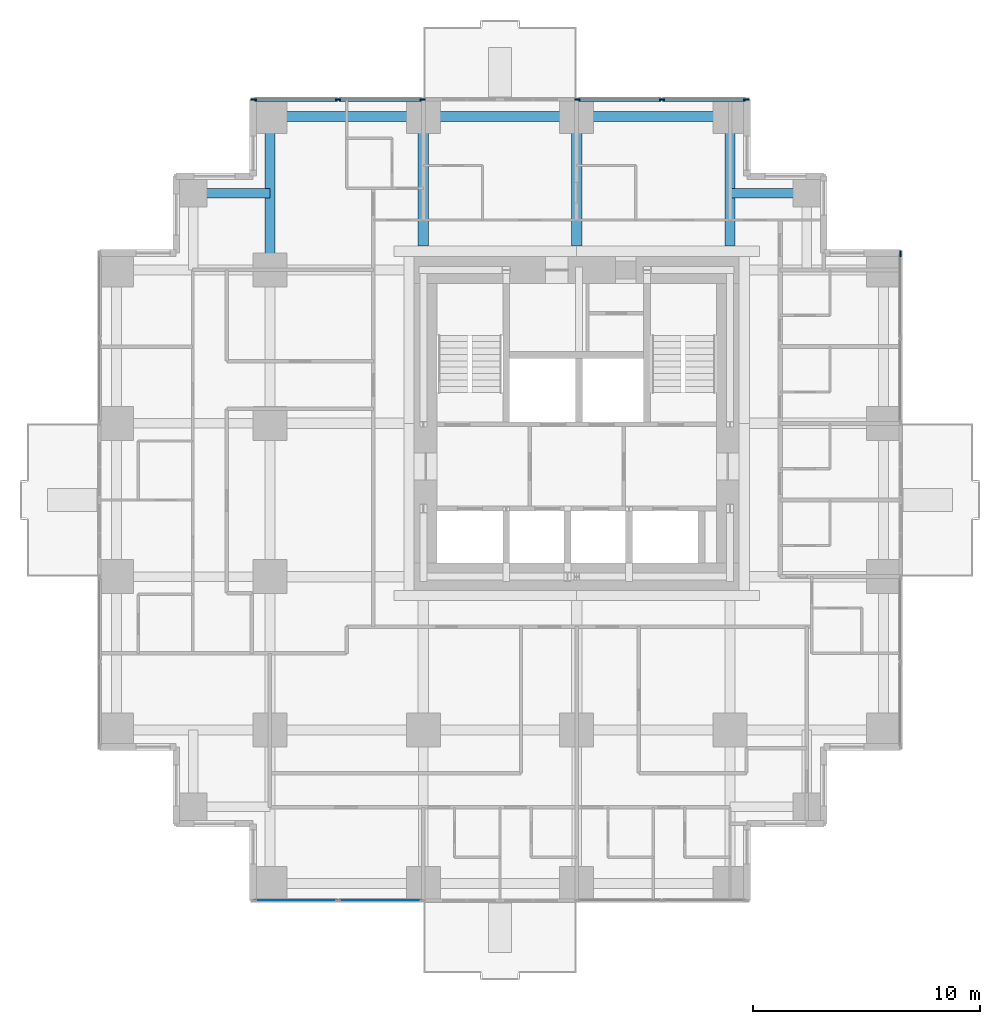
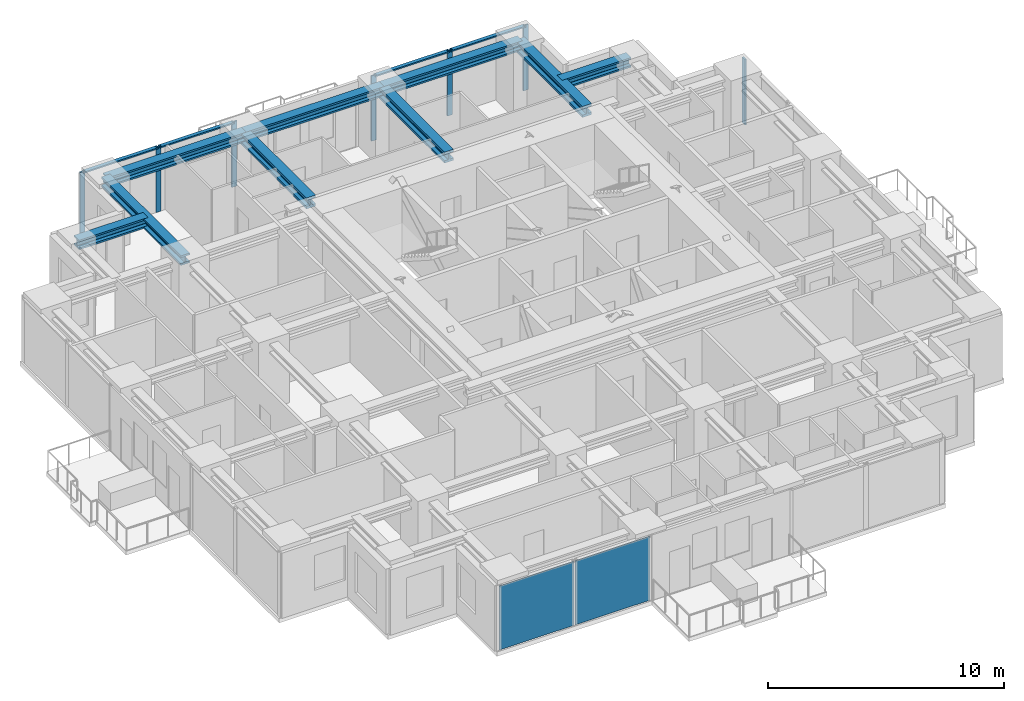
# One storey, part 3 of 10: 11 members, 9 beams, 2 plates, 4 elements without a shape of their own.
"""IFC4 building model written with IfcOpenShell, lengths in metres."""

from ifc_helpers import new_model, si_unit, direction, frame, origin, origin_2d, place, context, subcontext, project, spatial, rectangle, i_section, extrude, material, layer, layer_set, material_profile, profile_set, type_object, element, aggregate, save


model = new_model("IFC4")

# Units and contexts
model_context = context("Model", 3, precision=1e-05, world=origin(), true_north=direction((0.0, 1.0)))
body_context = subcontext(model_context, "Body", "Model", "MODEL_VIEW")
ifc_project = project(units=[si_unit("LENGTHUNIT", "METRE"), si_unit("AREAUNIT", "SQUARE_METRE"), si_unit("VOLUMEUNIT", "CUBIC_METRE"), si_unit("PLANEANGLEUNIT", "RADIAN"), si_unit("MASSUNIT", "GRAM", prefix="KILO")], contexts=[model_context])

# Site, building, storey
site_placement = place(None, origin())
site = spatial("IfcSite", under=ifc_project, at=site_placement, CompositionType="ELEMENT")
building_placement = place(site_placement, origin())
building = spatial("IfcBuilding", under=site, at=building_placement, Name="Nyansa Garden Tower", CompositionType="ELEMENT")
storey_placement = place(building_placement, frame((0.0, 0.0, 163.800048828125)))
storey = spatial("IfcBuildingStorey", under=building, at=storey_placement, Name="L44", CompositionType="ELEMENT", Elevation=163.800048828125)

# Curtain wall, member
ifc_material_1 = material(Name="Black anodised aluminium, dark tinted double glazing", Category="aluminium")
curtain_wall_type = type_object("IfcCurtainWallType", Name="Inner skin curtain wall ISW-C", PredefinedType="USERDEFINED", material=ifc_material_1)
curtain_wall_1_placement = place(storey_placement, origin())
curtain_wall_1 = element("IfcCurtainWall", 1, at=curtain_wall_1_placement, inside=storey, type_object=curtain_wall_type, Name="Inner skin curtain wall L44 E", ObjectType="UNITISED CURTAIN WALL", PredefinedType="USERDEFINED")
ifc_material_2 = material(Name="Black anodised aluminium", Category="aluminium")
ifc_material_profile_1 = material_profile(ifc_material_2, rectangle(XDim=0.070068359375, YDim=0.25, at=origin_2d()), Name="Mullion 250x70")
ifc_profile_set_1 = profile_set([ifc_material_profile_1], Name="Black anodised aluminium")
member_type_1 = type_object("IfcMemberType", Name="Mullion ISW-C 250x70", PredefinedType="MULLION", material=ifc_profile_set_1)
member_1_placement = place(storey_placement, frame((34.5, 27.715087890625, 0.0), z_axis=(0.0, 0.0, 1.0), x_axis=(-1.0, 0.0, 0.0)))
member_1 = element("IfcMember", 2, at=member_1_placement, type_object=member_type_1, Name="ISW-C mullion 3", PredefinedType="MULLION", context=body_context, shape_type="SweptSolid", body=[
    extrude(rectangle(XDim=0.070068359375, YDim=0.25, at=origin_2d()), origin(), (0.0, 0.0, 1.0), 3.375),
])
aggregate(curtain_wall_1, [member_1])

# Curtain wall, members
curtain_wall_2_placement = place(storey_placement, origin())
curtain_wall_2 = element("IfcCurtainWall", 3, at=curtain_wall_2_placement, inside=storey, type_object=curtain_wall_type, Name="Inner skin curtain wall L44 N", ObjectType="UNITISED CURTAIN WALL", PredefinedType="USERDEFINED")
member_2_placement = place(storey_placement, frame((13.465087890625, 34.5, 0.0), z_axis=(0.0, 0.0, 1.0), x_axis=(0.0, -1.0, 0.0)))
member_2 = element("IfcMember", 4, at=member_2_placement, type_object=member_type_1, Name="ISW-C mullion 1", PredefinedType="MULLION", context=body_context, shape_type="SweptSolid", body=[
    extrude(rectangle(XDim=0.070068359375, YDim=0.25, at=origin_2d()), origin(), (0.0, 0.0, 1.0), 3.375),
])
member_3_placement = place(storey_placement, frame((9.75, 34.5, 0.0), z_axis=(0.0, 0.0, 1.0), x_axis=(0.0, -1.0, 0.0)))
member_3 = element("IfcMember", 5, at=member_3_placement, type_object=member_type_1, Name="ISW-C mullion 2", PredefinedType="MULLION", context=body_context, shape_type="SweptSolid", body=[
    extrude(rectangle(XDim=0.070068359375, YDim=0.25, at=origin_2d()), origin(), (0.0, 0.0, 1.0), 3.375),
])
member_4_placement = place(storey_placement, frame((6.034912109375, 34.5, 0.0), z_axis=(0.0, 0.0, 1.0), x_axis=(0.0, -1.0, 0.0)))
member_4 = element("IfcMember", 6, at=member_4_placement, type_object=member_type_1, Name="ISW-C mullion 3", PredefinedType="MULLION", context=body_context, shape_type="SweptSolid", body=[
    extrude(rectangle(XDim=0.070068359375, YDim=0.25, at=origin_2d()), origin(), (0.0, 0.0, 1.0), 3.375),
])

curtain_wall_3_placement = place(storey_placement, origin())
curtain_wall_3 = element("IfcCurtainWall", 7, at=curtain_wall_3_placement, inside=storey, type_object=curtain_wall_type, Name="Inner skin curtain wall L44 N", ObjectType="UNITISED CURTAIN WALL", PredefinedType="USERDEFINED")
member_5_placement = place(storey_placement, frame((27.715087890625, 34.5, 0.0), z_axis=(0.0, 0.0, 1.0), x_axis=(0.0, -1.0, 0.0)))
member_5 = element("IfcMember", 8, at=member_5_placement, type_object=member_type_1, Name="ISW-C mullion 1", PredefinedType="MULLION", context=body_context, shape_type="SweptSolid", body=[
    extrude(rectangle(XDim=0.070068359375, YDim=0.25, at=origin_2d()), origin(), (0.0, 0.0, 1.0), 3.375),
])
member_6_placement = place(storey_placement, frame((24.0, 34.5, 0.0), z_axis=(0.0, 0.0, 1.0), x_axis=(0.0, -1.0, 0.0)))
member_6 = element("IfcMember", 9, at=member_6_placement, type_object=member_type_1, Name="ISW-C mullion 2", PredefinedType="MULLION", context=body_context, shape_type="SweptSolid", body=[
    extrude(rectangle(XDim=0.070068359375, YDim=0.25, at=origin_2d()), origin(), (0.0, 0.0, 1.0), 3.375),
])
member_7_placement = place(storey_placement, frame((20.284912109375, 34.5, 0.0), z_axis=(0.0, 0.0, 1.0), x_axis=(0.0, -1.0, 0.0)))
member_7 = element("IfcMember", 10, at=member_7_placement, type_object=member_type_1, Name="ISW-C mullion 3", PredefinedType="MULLION", context=body_context, shape_type="SweptSolid", body=[
    extrude(rectangle(XDim=0.070068359375, YDim=0.25, at=origin_2d()), origin(), (0.0, 0.0, 1.0), 3.375),
])

# Beams
ifc_material_3 = material(Name="Steel S355", Category="steel")
ifc_material_profile_2 = material_profile(ifc_material_3, i_section(OverallWidth=0.431884765625, OverallDepth=0.498046875, WebThickness=0.0556640625, FlangeThickness=0.0888671875, FilletRadius=0.014892578125, at=origin_2d()), Name="HD 400x744")
ifc_profile_set_2 = profile_set([ifc_material_profile_2], Name="Steel S355")
beam_type_1 = type_object("IfcBeamType", Name="Steel beam SBC1-744 HD 400x744", PredefinedType="BEAM", material=ifc_profile_set_2)
beam_placement = place(storey_placement, frame((6.75, 27.0, 3.1259765625), z_axis=(0.0, 1.0, 0.0), x_axis=(-1.0, 0.0, 0.0)))
element("IfcBeam", 11, at=beam_placement, inside=storey, type_object=beam_type_1, Name="Steel beam 3/H-3/J L45", PredefinedType="BEAM", context=body_context, shape_type="SweptSolid", body=[
    extrude(i_section(OverallWidth=0.431884765625, OverallDepth=0.498046875, WebThickness=0.0556640625, FlangeThickness=0.0888671875, FilletRadius=0.014892578125, at=origin_2d()), origin(), (0.0, 0.0, 1.0), 6.75),
])
ifc_material_4 = material(Name="Steel S355", Category="steel")
ifc_material_profile_3 = material_profile(ifc_material_4, i_section(OverallWidth=0.4541015625, OverallDepth=0.569091796875, WebThickness=0.077880859375, FlangeThickness=0.125, FilletRadius=0.014892578125, at=origin_2d()), Name="HD 400x1086")
ifc_profile_set_3 = profile_set([ifc_material_profile_3], Name="Steel S355")
beam_type_2 = type_object("IfcBeamType", Name="Steel beam SCL-1086 HD 400x1086", PredefinedType="BEAM", material=ifc_profile_set_3)
for number, where, z_axis, x_axis, name in (
    (12, (13.5, 28.050048828125, 3.09033203125), (0.0, 1.0, 0.0), (-1.0, 0.0, 0.0), "Steel beam 4/28.050-4/J L45"),
    (13, (20.25, 28.050048828125, 3.09033203125), (0.0, 1.0, 0.0), (-1.0, 0.0, 0.0), "Steel beam 5/28.050-5/J L45"),
    (14, (27.0, 28.050048828125, 3.09033203125), (0.0, 1.0, 0.0), (-1.0, 0.0, 0.0), "Steel beam 6/28.050-6/J L45"),
):
    element("IfcBeam", number, at=place(storey_placement, frame(where, z_axis=z_axis, x_axis=x_axis)), inside=storey, type_object=beam_type_2, Name=name, PredefinedType="BEAM", context=body_context, shape_type="SweptSolid", body=[
        extrude(i_section(OverallWidth=0.4541015625, OverallDepth=0.569091796875, WebThickness=0.077880859375, FlangeThickness=0.125, FilletRadius=0.014892578125, at=origin_2d()), origin(), (0.0, 0.0, 1.0), 5.699951171875),
    ])
ifc_material_5 = material(Name="Steel S355", Category="steel")
ifc_material_profile_4 = material_profile(ifc_material_5, i_section(OverallWidth=0.431884765625, OverallDepth=0.498046875, WebThickness=0.0556640625, FlangeThickness=0.0888671875, FilletRadius=0.014892578125, at=origin_2d()), Name="HD 400x744")
ifc_profile_set_4 = profile_set([ifc_material_profile_4], Name="Steel S355")
beam_type_3 = type_object("IfcBeamType", Name="Steel beam SEBC-744 HD 400x744", PredefinedType="BEAM", material=ifc_profile_set_4)
for number, where, z_axis, x_axis, name in (
    (15, (6.75, 33.75, 3.1259765625), (1.0, 0.0, 0.0), (0.0, 1.0, 0.0), "Steel edge beam 3/J-4/J L45"),
    (16, (13.5, 33.75, 3.1259765625), (1.0, 0.0, 0.0), (0.0, 1.0, 0.0), "Steel edge beam 4/J-5/J L45"),
    (17, (20.25, 33.75, 3.1259765625), (1.0, 0.0, 0.0), (0.0, 1.0, 0.0), "Steel edge beam 5/J-6/J L45"),
):
    element("IfcBeam", number, at=place(storey_placement, frame(where, z_axis=z_axis, x_axis=x_axis)), inside=storey, type_object=beam_type_3, Name=name, PredefinedType="BEAM", context=body_context, shape_type="SweptSolid", body=[
        extrude(i_section(OverallWidth=0.431884765625, OverallDepth=0.498046875, WebThickness=0.0556640625, FlangeThickness=0.0888671875, FilletRadius=0.014892578125, at=origin_2d()), origin(), (0.0, 0.0, 1.0), 6.75),
    ])
ifc_material_6 = material(Name="Steel S355", Category="steel")
ifc_material_profile_5 = material_profile(ifc_material_6, i_section(OverallWidth=0.431884765625, OverallDepth=0.498046875, WebThickness=0.0556640625, FlangeThickness=0.0888671875, FilletRadius=0.014892578125, at=origin_2d()), Name="HD 400x744")
ifc_profile_set_5 = profile_set([ifc_material_profile_5], Name="Steel S355")
beam_type_4 = type_object("IfcBeamType", Name="Steel beam SSB1-744 HD 400x744", PredefinedType="BEAM", material=ifc_profile_set_5)
for number, where, z_axis, x_axis, name in (
    (18, (30.375, 30.375, 3.1259765625), (-1.0, 0.0, 0.0), (0.0, -1.0, 0.0), "Steel step beam 30.375/30.375 L45"),
    (19, (3.375, 30.375, 3.1259765625), (1.0, 0.0, 0.0), (0.0, 1.0, 0.0), "Steel step beam 3.375/30.375 L45"),
):
    element("IfcBeam", number, at=place(storey_placement, frame(where, z_axis=z_axis, x_axis=x_axis)), inside=storey, type_object=beam_type_4, Name=name, PredefinedType="BEAM", context=body_context, shape_type="SweptSolid", body=[
        extrude(i_section(OverallWidth=0.431884765625, OverallDepth=0.498046875, WebThickness=0.0556640625, FlangeThickness=0.0888671875, FilletRadius=0.014892578125, at=origin_2d()), origin(), (0.0, 0.0, 1.0), 3.375),
    ])

# Member
ifc_material_7 = material(Name="Black anodised aluminium", Category="aluminium")
ifc_material_profile_6 = material_profile(ifc_material_7, rectangle(XDim=0.179931640625, YDim=0.070068359375, at=origin_2d()), Name="Transom 180x70")
ifc_profile_set_6 = profile_set([ifc_material_profile_6], Name="Black anodised aluminium")
member_type_2 = type_object("IfcMemberType", Name="Transom ISW-C 180x70", PredefinedType="USERDEFINED", material=ifc_profile_set_6)
member_8_placement = place(storey_placement, frame((13.429931640625, 34.5, 3.33984375), z_axis=(-1.0, 0.0, 0.0), x_axis=(0.0, -1.0, 0.0)))
member_8 = element("IfcMember", 20, at=member_8_placement, type_object=member_type_2, Name="ISW-C transom 1", ObjectType="TRANSOM", PredefinedType="USERDEFINED", context=body_context, shape_type="SweptSolid", body=[
    extrude(rectangle(XDim=0.179931640625, YDim=0.070068359375, at=origin_2d()), origin(), (0.0, 0.0, 1.0), 3.64501953125),
])

member_9_placement = place(storey_placement, frame((9.715087890625, 34.5, 3.33984375), z_axis=(-1.0, 0.0, 0.0), x_axis=(0.0, -1.0, 0.0)))
member_9 = element("IfcMember", 21, at=member_9_placement, type_object=member_type_2, Name="ISW-C transom 2", ObjectType="TRANSOM", PredefinedType="USERDEFINED", context=body_context, shape_type="SweptSolid", body=[
    extrude(rectangle(XDim=0.179931640625, YDim=0.070068359375, at=origin_2d()), origin(), (0.0, 0.0, 1.0), 3.64501953125),
])

aggregate(curtain_wall_2, [member_2, member_3, member_4, member_8, member_9])

member_10_placement = place(storey_placement, frame((27.679931640625, 34.5, 3.33984375), z_axis=(-1.0, 0.0, 0.0), x_axis=(0.0, -1.0, 0.0)))
member_10 = element("IfcMember", 22, at=member_10_placement, type_object=member_type_2, Name="ISW-C transom 1", ObjectType="TRANSOM", PredefinedType="USERDEFINED", context=body_context, shape_type="SweptSolid", body=[
    extrude(rectangle(XDim=0.179931640625, YDim=0.070068359375, at=origin_2d()), origin(), (0.0, 0.0, 1.0), 3.64501953125),
])

member_11_placement = place(storey_placement, frame((23.965087890625, 34.5, 3.33984375), z_axis=(-1.0, 0.0, 0.0), x_axis=(0.0, -1.0, 0.0)))
member_11 = element("IfcMember", 23, at=member_11_placement, type_object=member_type_2, Name="ISW-C transom 2", ObjectType="TRANSOM", PredefinedType="USERDEFINED", context=body_context, shape_type="SweptSolid", body=[
    extrude(rectangle(XDim=0.179931640625, YDim=0.070068359375, at=origin_2d()), origin(), (0.0, 0.0, 1.0), 3.64501953125),
])

aggregate(curtain_wall_3, [member_5, member_6, member_7, member_10, member_11])

# Curtain wall, plates
curtain_wall_4_placement = place(storey_placement, origin())
curtain_wall_4 = element("IfcCurtainWall", 24, at=curtain_wall_4_placement, inside=storey, type_object=curtain_wall_type, Name="Inner skin curtain wall L44 S", ObjectType="UNITISED CURTAIN WALL", PredefinedType="USERDEFINED")
ifc_material_8 = material(Name="Dark tinted laminated double glazing", Category="glass")
ifc_layer = layer(ifc_material_8, 0.0400390625)
ifc_layer_set = layer_set([ifc_layer], Name="Dark tinted vision panel VP-C")
plate_type = type_object("IfcPlateType", Name="Dark tinted vision panel VP-C", PredefinedType="CURTAIN_PANEL", material=ifc_layer_set)
plate_1_placement = place(storey_placement, frame((7.892578125, -0.75, 0.0), z_axis=(0.0, 0.0, 1.0), x_axis=(1.0, 0.0, 0.0)))
plate_1 = element("IfcPlate", 25, at=plate_1_placement, type_object=plate_type, Name="ISW-C panel 1", PredefinedType="CURTAIN_PANEL", context=body_context, shape_type="SweptSolid", body=[
    extrude(rectangle(XDim=3.64501953125, YDim=0.0400390625, at=origin_2d()), origin(), (0.0, 0.0, 1.0), 3.304931640625),
])
plate_2_placement = place(storey_placement, frame((11.607421875, -0.75, 0.0), z_axis=(0.0, 0.0, 1.0), x_axis=(1.0, 0.0, 0.0)))
plate_2 = element("IfcPlate", 26, at=plate_2_placement, type_object=plate_type, Name="ISW-C panel 2", PredefinedType="CURTAIN_PANEL", context=body_context, shape_type="SweptSolid", body=[
    extrude(rectangle(XDim=3.64501953125, YDim=0.0400390625, at=origin_2d()), origin(), (0.0, 0.0, 1.0), 3.304931640625),
])
aggregate(curtain_wall_4, [plate_1, plate_2])

save(model, "model.ifc")
